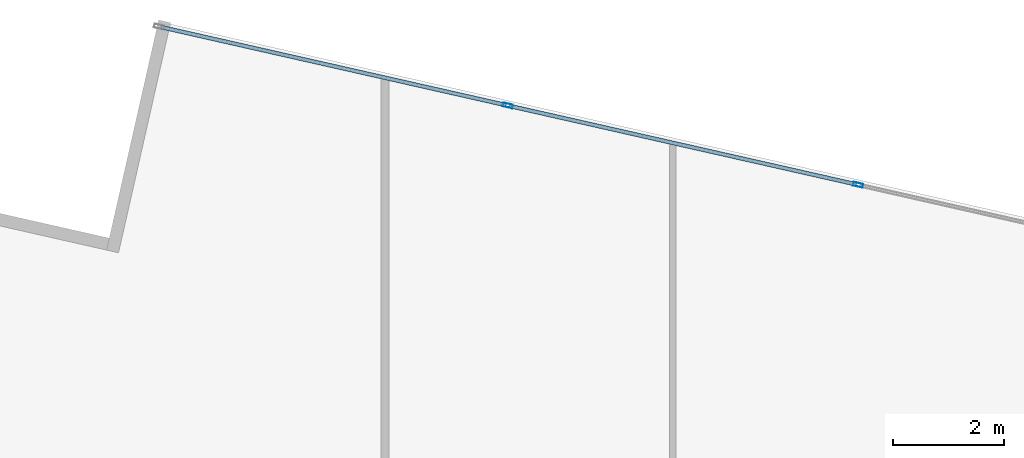
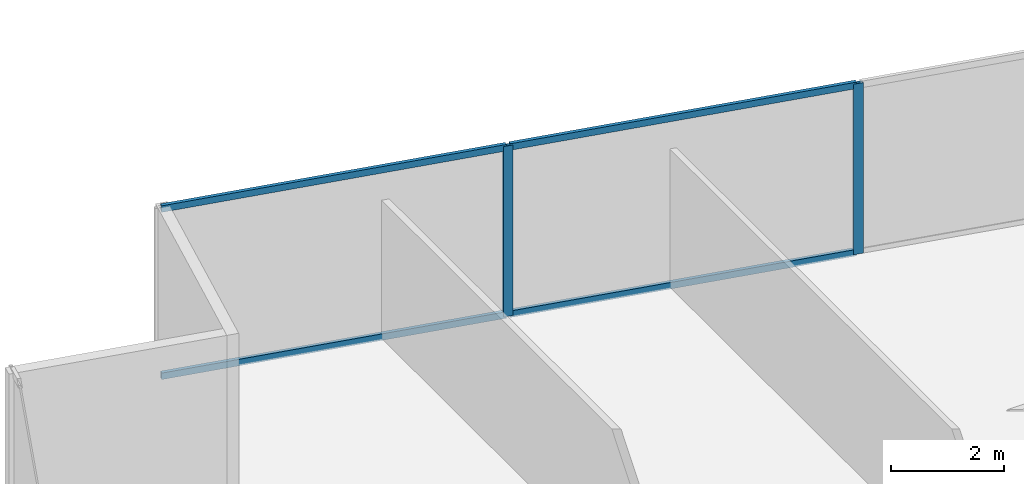
# One storey, part 18 of 26: 6 members, 1 element without a shape of its own.
"""IFC4 building model written with IfcOpenShell, lengths in metres."""

from ifc_helpers import new_model, si_unit, direction, frame, origin, origin_2d, place, context, subcontext, project, spatial, hollow_rectangle, extrude, source, transform, mapped, material, material_profile, profile_set, type_object, type_shapes, element, aggregate, save


model = new_model("IFC4")

# Units and contexts
model_context = context("Model", 3, precision=1e-05, world=origin(), true_north=direction((0.0, 1.0)))
body_context = subcontext(model_context, "Body", "Model", "MODEL_VIEW")
ifc_project = project(units=[si_unit("LENGTHUNIT", "METRE"), si_unit("AREAUNIT", "SQUARE_METRE"), si_unit("VOLUMEUNIT", "CUBIC_METRE"), si_unit("PLANEANGLEUNIT", "RADIAN"), si_unit("MASSUNIT", "GRAM", prefix="KILO")], contexts=[model_context])

# Site, building, storey
site_placement = place(None, origin())
site = spatial("IfcSite", under=ifc_project, at=site_placement, CompositionType="ELEMENT")
building_placement = place(site_placement, origin())
building = spatial("IfcBuilding", under=site, at=building_placement, Name="Krantzveldt Concourse Tower", CompositionType="ELEMENT")
storey_placement = place(building_placement, frame((0.0, 0.0, 94.0)))
storey = spatial("IfcBuildingStorey", under=building, at=storey_placement, Name="L22", CompositionType="ELEMENT", Elevation=94.0)

# Curtain wall, members
ifc_material = material(Name="Anodised aluminium 6063-T6", Category="aluminium")
curtain_wall_type = type_object("IfcCurtainWallType", Name="CW2", PredefinedType="USERDEFINED", material=ifc_material)
curtain_wall_placement = place(storey_placement, origin())
curtain_wall = element("IfcCurtainWall", 1, at=curtain_wall_placement, inside=storey, type_object=curtain_wall_type, Name="CW-L22-F10", ObjectType="UNITISED CURTAIN WALL", PredefinedType="USERDEFINED")
ifc_material_profile_1 = material_profile(ifc_material, hollow_rectangle(XDim=0.070068359375, YDim=0.179931640625, WallThickness=0.0048828125, at=origin_2d()), Name="Anodised aluminium 6063-T6", Category="aluminium")
ifc_profile_set_1 = profile_set([ifc_material_profile_1], Name="Anodised aluminium 6063-T6 - ALU-MULL 180x70x5")
member_type_1 = type_object("IfcMemberType", Name="CW-MUL-180", PredefinedType="MULLION", material=ifc_profile_set_1)
shared_shape_1 = source(origin(), body_context, "Body", "SweptSolid", [
    extrude(hollow_rectangle(XDim=0.070068359375, YDim=0.179931640625, WallThickness=0.0048828125, at=origin_2d()), origin(), (0.0, 0.0, 1.0), 3.669921875),
])
type_shapes(member_type_1, [shared_shape_1])
member_1_placement = place(storey_placement, frame((34.837158203125, 50.8623046875, 0.0), z_axis=(0.0, 0.0, 1.0), x_axis=(-0.220697434579, -0.975342320609, 0.0)))
member_1 = element("IfcMember", 2, at=member_1_placement, type_object=member_type_1, Name="CW-Z12 mullion 5", PredefinedType="MULLION", context=body_context, shape_type="MappedRepresentation", body=[
    mapped(shared_shape_1, transform((0.0, 0.0, 0.0), x_axis=(1.0, 0.0, 0.0), y_axis=(0.0, 1.0, 0.0), z_axis=(0.0, 0.0, 1.0), scale=1.0)),
])
member_2_placement = place(storey_placement, frame((28.530029296875, 52.28955078125, 0.0), z_axis=(0.0, 0.0, 1.0), x_axis=(-0.220697434579, -0.975342320609, 0.0)))
member_2 = element("IfcMember", 3, at=member_2_placement, type_object=member_type_1, Name="CW-Z12 mullion 6", PredefinedType="MULLION", context=body_context, shape_type="MappedRepresentation", body=[
    mapped(shared_shape_1, transform((0.0, 0.0, 0.0), x_axis=(1.0, 0.0, 0.0), y_axis=(0.0, 1.0, 0.0), z_axis=(0.0, 0.0, 1.0), scale=1.0)),
])
ifc_material_profile_2 = material_profile(ifc_material, hollow_rectangle(XDim=0.070068359375, YDim=0.139892578125, WallThickness=0.0048828125, at=origin_2d()), Name="Anodised aluminium 6063-T6", Category="aluminium")
ifc_profile_set_2 = profile_set([ifc_material_profile_2], Name="Anodised aluminium 6063-T6 - ALU-TRAN 140x70x5")
member_type_2 = type_object("IfcMemberType", Name="CW-TRN-150", PredefinedType="USERDEFINED", material=ifc_profile_set_2)
shared_shape_2 = source(origin(), body_context, "Body", "SweptSolid", [
    extrude(hollow_rectangle(XDim=0.070068359375, YDim=0.139892578125, WallThickness=0.0048828125, at=origin_2d()), origin(), (0.0, 0.0, 1.0), 6.396728515625),
])
member_3_placement = place(storey_placement, frame((34.80322265625, 50.8701171875, 0.034912109375), z_axis=(-0.975346478519, 0.220679058454, 0.0), x_axis=(-0.220679058454, -0.975346478519, 0.0)))
member_3 = element("IfcMember", 4, at=member_3_placement, type_object=member_type_2, Name="CW-Z12 transom 5.1", ObjectType="TRANSOM", PredefinedType="USERDEFINED", context=body_context, shape_type="MappedRepresentation", body=[
    mapped(shared_shape_2, transform((0.0, 0.0, 0.0), x_axis=(1.0, 0.0, 0.0), y_axis=(0.0, 1.0, 0.0), z_axis=(0.0, 0.0, 1.0), scale=1.0)),
])
member_4_placement = place(storey_placement, frame((34.80322265625, 50.8701171875, 3.635009765625), z_axis=(-0.975346478519, 0.220679058454, 0.0), x_axis=(-0.220679058454, -0.975346478519, 0.0)))
member_4 = element("IfcMember", 5, at=member_4_placement, type_object=member_type_2, Name="CW-Z12 transom 5.2", ObjectType="TRANSOM", PredefinedType="USERDEFINED", context=body_context, shape_type="MappedRepresentation", body=[
    mapped(shared_shape_2, transform((0.0, 0.0, 0.0), x_axis=(1.0, 0.0, 0.0), y_axis=(0.0, 1.0, 0.0), z_axis=(0.0, 0.0, 1.0), scale=1.0)),
])
shared_shape_3 = source(origin(), body_context, "Body", "SweptSolid", [
    extrude(hollow_rectangle(XDim=0.070068359375, YDim=0.139892578125, WallThickness=0.0048828125, at=origin_2d()), origin(), (0.0, 0.0, 1.0), 6.36181640625),
])
type_shapes(member_type_2, [shared_shape_2, shared_shape_3])
member_5_placement = place(storey_placement, frame((28.495849609375, 52.29736328125, 0.034912109375), z_axis=(-0.975340894424, 0.220703737314, 0.0), x_axis=(-0.220703737314, -0.975340894424, 0.0)))
member_5 = element("IfcMember", 6, at=member_5_placement, type_object=member_type_2, Name="CW-Z12 transom 6.1", ObjectType="TRANSOM", PredefinedType="USERDEFINED", context=body_context, shape_type="MappedRepresentation", body=[
    mapped(shared_shape_3, transform((0.0, 0.0, 0.0), x_axis=(1.0, 0.0, 0.0), y_axis=(0.0, 1.0, 0.0), z_axis=(0.0, 0.0, 1.0), scale=1.0)),
])
member_6_placement = place(storey_placement, frame((28.495849609375, 52.29736328125, 3.635009765625), z_axis=(-0.975340894424, 0.220703737314, 0.0), x_axis=(-0.220703737314, -0.975340894424, 0.0)))
member_6 = element("IfcMember", 7, at=member_6_placement, type_object=member_type_2, Name="CW-Z12 transom 6.2", ObjectType="TRANSOM", PredefinedType="USERDEFINED", context=body_context, shape_type="MappedRepresentation", body=[
    mapped(shared_shape_3, transform((0.0, 0.0, 0.0), x_axis=(1.0, 0.0, 0.0), y_axis=(0.0, 1.0, 0.0), z_axis=(0.0, 0.0, 1.0), scale=1.0)),
])
aggregate(curtain_wall, [member_1, member_2, member_3, member_4, member_5, member_6])

save(model, "model.ifc")
